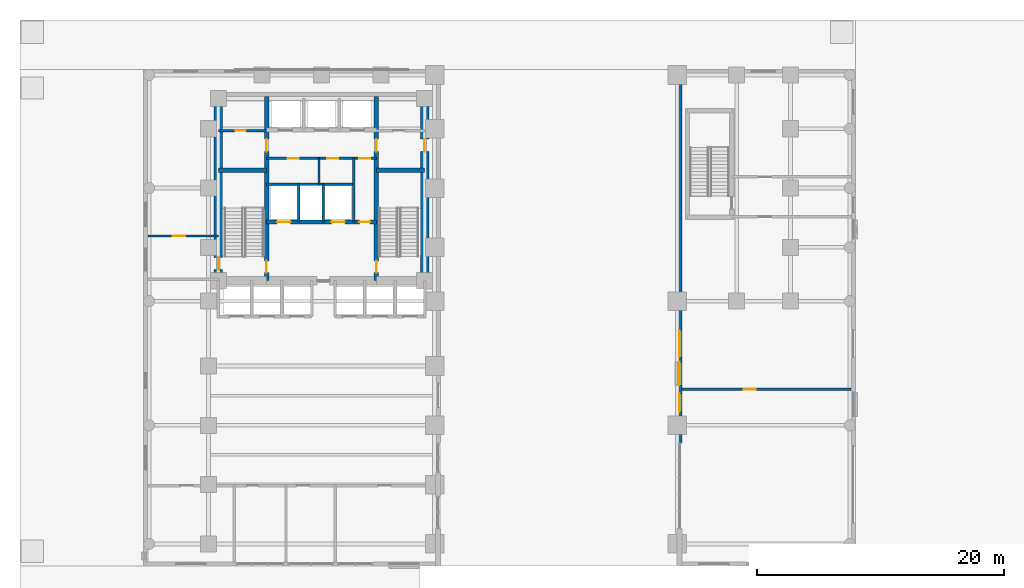
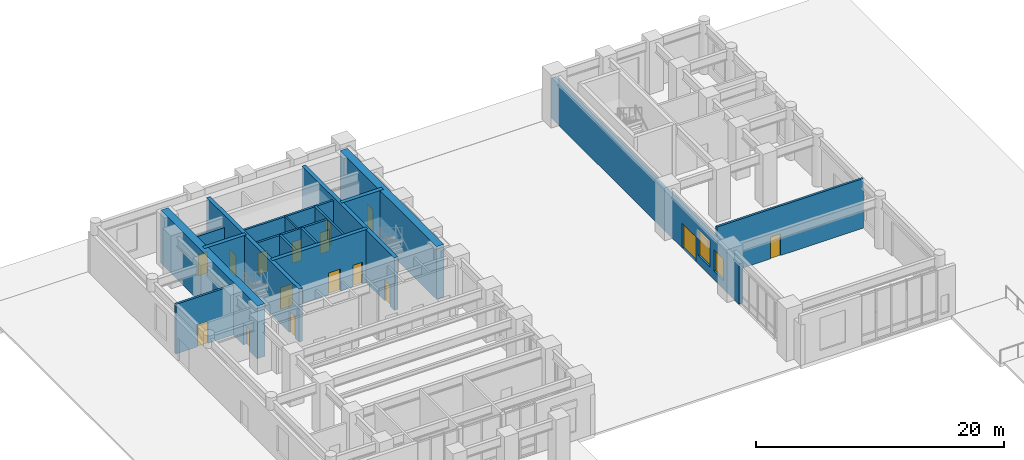
# One storey, part 9 of 16: 17 walls, 16 doors, 2 windows, 18 openings.
"""IFC4 building model written with IfcOpenShell, lengths in metres."""

from ifc_helpers import new_model, si_unit, direction, frame, frame_2d, origin, place, context, subcontext, project, spatial, rectangle, extrude, material, layer, layer_set, type_object, element, fill, save


model = new_model("IFC4")

# Units and contexts
model_context = context("Model", 3, precision=1e-05, world=origin(), true_north=direction((0.0, 1.0)))
body_context = subcontext(model_context, "Body", "Model", "MODEL_VIEW")
ifc_project = project(units=[si_unit("LENGTHUNIT", "METRE"), si_unit("AREAUNIT", "SQUARE_METRE"), si_unit("VOLUMEUNIT", "CUBIC_METRE"), si_unit("PLANEANGLEUNIT", "RADIAN"), si_unit("MASSUNIT", "GRAM", prefix="KILO")], contexts=[model_context])

# Site, building, storey
site_placement = place(None, origin())
site = spatial("IfcSite", under=ifc_project, at=site_placement, CompositionType="ELEMENT")
building_placement = place(site_placement, origin())
building = spatial("IfcBuilding", under=site, at=building_placement, Name="Orvandelia Arch Residences", CompositionType="ELEMENT")
storey_placement = place(building_placement, origin())
storey = spatial("IfcBuildingStorey", under=building, at=storey_placement, Name="L00", CompositionType="ELEMENT", Elevation=0.0)

# Wall, openings, door, windows
ifc_material_1 = material(Name="Precast concrete C40/50", Category="concrete")
ifc_layer_1 = layer(ifc_material_1, 0.39990234375, Name="Precast concrete C40/50", Category="concrete")
ifc_layer_set_1 = layer_set([ifc_layer_1], Name="Precast concrete C40/50")
wall_type_1 = type_object("IfcWallType", Name="WL-ARCH-CHEEK-400", PredefinedType="SOLIDWALL", material=ifc_layer_set_1)
wall_1_placement = place(storey_placement, frame((43.375, 17.760009765625, 0.0), z_axis=(0.0, 0.0, 1.0), x_axis=(0.0, 1.0, 0.0)))
wall_1 = element("IfcWall", 1, at=wall_1_placement, inside=storey, type_object=wall_type_1, Name="Giant Arch Pier Cheek Wall L00-015", PredefinedType="SOLIDWALL", context=body_context, shape_type="SweptSolid", body=[
    extrude(rectangle(XDim=30.239990234375, YDim=0.39990234375, at=frame_2d((15.1201171875, 0.0))), origin(), (0.0, 0.0, 1.0), 3.969970703125),
])
opening_1_placement = place(wall_1_placement, frame((6.93994140625, 0.0, 0.0)))
opening_1 = element("IfcOpeningElement", 2, at=opening_1_placement, cuts=wall_1, Name="Opening ED1", PredefinedType="OPENING", context=body_context, shape_type="SweptSolid", body=[
    extrude(rectangle(XDim=2.199951171875, YDim=2.449951171875, at=frame_2d((1.10009765625, 1.22509765625))), frame((0.0, 0.2099609375, 0.0), z_axis=(0.0, -1.0, 0.0), x_axis=(1.0, 0.0, 0.0)), (0.0, 0.0, 1.0), 0.419921875),
])
opening_2_placement = place(wall_1_placement, frame((4.675048828125, 0.0, 0.85009765625)))
opening_2 = element("IfcOpeningElement", 3, at=opening_2_placement, cuts=wall_1, Name="Opening W7", PredefinedType="OPENING", context=body_context, shape_type="SweptSolid", body=[
    extrude(rectangle(XDim=1.89990234375, YDim=2.60009765625, at=frame_2d((0.949951171875, 1.300048828125))), frame((0.0, 0.2099609375, 0.0), z_axis=(0.0, -1.0, 0.0), x_axis=(1.0, 0.0, 0.0)), (0.0, 0.0, 1.0), 0.419921875),
])
opening_3_placement = place(wall_1_placement, frame((2.514892578125, 0.0, 0.85009765625)))
opening_3 = element("IfcOpeningElement", 4, at=opening_3_placement, cuts=wall_1, Name="Opening W2", PredefinedType="OPENING", context=body_context, shape_type="SweptSolid", body=[
    extrude(rectangle(XDim=1.5, YDim=2.10009765625, at=frame_2d((0.75, 1.050048828125))), frame((0.0, 0.2099609375, 0.0), z_axis=(0.0, -1.0, 0.0), x_axis=(1.0, 0.0, 0.0)), (0.0, 0.0, 1.0), 0.419921875),
])
ifc_material_2 = material(Name="Anodised Bronze Framed Glazed Door")
door_type_1 = type_object("IfcDoorType", Name="DR-ENT-DBL-2200", OperationType="NOTDEFINED", PredefinedType="DOOR", material=ifc_material_2)
door_1_placement = place(opening_1_placement, origin())
door_1 = element("IfcDoor", 5, at=door_1_placement, inside=storey, type_object=door_type_1, Name="Arch East Retail Entrance", OperationType="SINGLE_SWING_RIGHT", OverallHeight=2.449951171875, OverallWidth=2.199951171875, PredefinedType="DOOR", context=body_context, shape_type="SweptSolid", body=[
    extrude(rectangle(XDim=2.199951171875, YDim=2.449951171875, at=frame_2d((1.10009765625, 1.22509765625))), frame((0.0, 0.02490234375, 0.0), z_axis=(0.0, -1.0, 0.0), x_axis=(1.0, 0.0, 0.0)), (0.0, 0.0, 1.0), 0.050048828125),
])
fill(opening_1, door_1)
ifc_material_3 = material(Name="Laminated Acoustic Double Glazing", Category="glass")
window_type_1 = type_object("IfcWindowType", Name="WIN-POD-1900x2600", PartitioningType="SINGLE_PANEL", PredefinedType="WINDOW", material=ifc_material_3)
window_1_placement = place(opening_2_placement, origin())
window_1 = element("IfcWindow", 6, at=window_1_placement, inside=storey, type_object=window_type_1, Name="Recessed Punched Window L00-015", OverallHeight=2.60009765625, OverallWidth=1.89990234375, PartitioningType="SINGLE_PANEL", PredefinedType="WINDOW", context=body_context, shape_type="SweptSolid", body=[
    extrude(rectangle(XDim=1.89990234375, YDim=2.60009765625, at=frame_2d((0.949951171875, 1.300048828125))), frame((0.0, 0.030029296875, 0.0), z_axis=(0.0, -1.0, 0.0), x_axis=(1.0, 0.0, 0.0)), (0.0, 0.0, 1.0), 0.06005859375),
])
fill(opening_2, window_1)
ifc_material_4 = material(Name="Tempered Low-E Insulated Glazing", Category="glass")
window_type_2 = type_object("IfcWindowType", Name="WIN-RES-1500x2100", PartitioningType="SINGLE_PANEL", PredefinedType="WINDOW", material=ifc_material_4)
window_2_placement = place(opening_3_placement, origin())
window_2 = element("IfcWindow", 7, at=window_2_placement, inside=storey, type_object=window_type_2, Name="Recessed Punched Window L00-016", OverallHeight=2.10009765625, OverallWidth=1.5, PartitioningType="SINGLE_PANEL", PredefinedType="WINDOW", context=body_context, shape_type="SweptSolid", body=[
    extrude(rectangle(XDim=1.5, YDim=2.10009765625, at=frame_2d((0.75, 1.050048828125))), frame((0.0, 0.030029296875, 0.0), z_axis=(0.0, -1.0, 0.0), x_axis=(1.0, 0.0, 0.0)), (0.0, 0.0, 1.0), 0.06005859375),
])
fill(opening_3, window_2)

# Wall, openings, doors
ifc_material_5 = material(Name="Concrete C50/60", Category="concrete")
ifc_layer_2 = layer(ifc_material_5, 0.35009765625, Name="Concrete C50/60", Category="concrete")
ifc_layer_set_2 = layer_set([ifc_layer_2], Name="Concrete C50/60")
wall_type_2 = type_object("IfcWallType", Name="WL-CORE-350", PredefinedType="SHEAR", material=ifc_layer_set_2)
wall_2_placement = place(storey_placement, frame((9.9599609375, 30.89990234375, 0.0), z_axis=(0.0, 0.0, 1.0), x_axis=(0.0, 1.0, 0.0)))
wall_2 = element("IfcWall", 8, at=wall_2_placement, inside=storey, type_object=wall_type_2, Name="Core Shear Wall L00-WEB1", PredefinedType="SHEAR", context=body_context, shape_type="SweptSolid", body=[
    extrude(rectangle(XDim=14.900146484375, YDim=0.35009765625, at=frame_2d((7.4501953125, 0.0))), origin(), (0.0, 0.0, 1.0), 5.199951171875),
])
opening_4_placement = place(wall_2_placement, frame((0.64990234375, 0.0, 0.0)))
opening_4 = element("IfcOpeningElement", 9, at=opening_4_placement, cuts=wall_2, Name="Opening D7", PredefinedType="OPENING", context=body_context, shape_type="SweptSolid", body=[
    extrude(rectangle(XDim=0.949951171875, YDim=2.10009765625, at=frame_2d((0.47509765625, 1.050048828125))), frame((0.0, 0.18505859375, 0.0), z_axis=(0.0, -1.0, 0.0), x_axis=(1.0, 0.0, 0.0)), (0.0, 0.0, 1.0), 0.3701171875),
])
opening_5_placement = place(wall_2_placement, frame((10.449951171875, 0.0, 0.0)))
opening_5 = element("IfcOpeningElement", 10, at=opening_5_placement, cuts=wall_2, Name="Opening D6", PredefinedType="OPENING", context=body_context, shape_type="SweptSolid", body=[
    extrude(rectangle(XDim=1.0, YDim=2.14990234375, at=frame_2d((0.5, 1.074951171875))), frame((0.0, 0.18505859375, 0.0), z_axis=(0.0, -1.0, 0.0), x_axis=(1.0, 0.0, 0.0)), (0.0, 0.0, 1.0), 0.3701171875),
])
ifc_material_6 = material(Name="Smokeproof Painted Steel Fire Door", Category="steel")
door_type_2 = type_object("IfcDoorType", Name="DR-FD60-1000", OperationType="NOTDEFINED", PredefinedType="DOOR", material=ifc_material_6)
door_2_placement = place(opening_5_placement, origin())
door_2 = element("IfcDoor", 11, at=door_2_placement, inside=storey, type_object=door_type_2, Name="High-Rise Lift Hall West Vestibule Door L00", OperationType="SINGLE_SWING_LEFT", OverallHeight=2.14990234375, OverallWidth=1.0, PredefinedType="DOOR", context=body_context, shape_type="SweptSolid", body=[
    extrude(rectangle(XDim=1.0, YDim=2.14990234375, at=frame_2d((0.5, 1.074951171875))), frame((0.0, 0.02490234375, 0.0), z_axis=(0.0, -1.0, 0.0), x_axis=(1.0, 0.0, 0.0)), (0.0, 0.0, 1.0), 0.050048828125),
])
fill(opening_5, door_2)
ifc_material_7 = material(Name="Pressurised Stairwell Fire Door")
door_type_3 = type_object("IfcDoorType", Name="DR-STAIR-950", OperationType="NOTDEFINED", PredefinedType="DOOR", material=ifc_material_7)
door_3_placement = place(opening_4_placement, origin())
door_3 = element("IfcDoor", 12, at=door_3_placement, inside=storey, type_object=door_type_3, Name="Stairwell ST-1 Fire Door L00", OperationType="SINGLE_SWING_LEFT", OverallHeight=2.10009765625, OverallWidth=0.949951171875, PredefinedType="DOOR", context=body_context, shape_type="SweptSolid", body=[
    extrude(rectangle(XDim=0.949951171875, YDim=2.10009765625, at=frame_2d((0.47509765625, 1.050048828125))), frame((0.0, 0.02490234375, 0.0), z_axis=(0.0, -1.0, 0.0), x_axis=(1.0, 0.0, 0.0)), (0.0, 0.0, 1.0), 0.050048828125),
])
fill(opening_4, door_3)

wall_3_placement = place(storey_placement, frame((18.840087890625, 30.89990234375, 0.0), z_axis=(0.0, 0.0, 1.0), x_axis=(0.0, 1.0, 0.0)))
wall_3 = element("IfcWall", 13, at=wall_3_placement, inside=storey, type_object=wall_type_2, Name="Core Shear Wall L00-WEB2", PredefinedType="SHEAR", context=body_context, shape_type="SweptSolid", body=[
    extrude(rectangle(XDim=14.900146484375, YDim=0.35009765625, at=frame_2d((7.4501953125, 0.0))), origin(), (0.0, 0.0, 1.0), 5.199951171875),
])
opening_6_placement = place(wall_3_placement, frame((0.64990234375, 0.0, 0.0)))
opening_6 = element("IfcOpeningElement", 14, at=opening_6_placement, cuts=wall_3, Name="Opening D7", PredefinedType="OPENING", context=body_context, shape_type="SweptSolid", body=[
    extrude(rectangle(XDim=0.949951171875, YDim=2.10009765625, at=frame_2d((0.47509765625, 1.050048828125))), frame((0.0, 0.18505859375, 0.0), z_axis=(0.0, -1.0, 0.0), x_axis=(1.0, 0.0, 0.0)), (0.0, 0.0, 1.0), 0.3701171875),
])
opening_7_placement = place(wall_3_placement, frame((10.449951171875, 0.0, 0.0)))
opening_7 = element("IfcOpeningElement", 15, at=opening_7_placement, cuts=wall_3, Name="Opening D6", PredefinedType="OPENING", context=body_context, shape_type="SweptSolid", body=[
    extrude(rectangle(XDim=1.0, YDim=2.14990234375, at=frame_2d((0.5, 1.074951171875))), frame((0.0, 0.18505859375, 0.0), z_axis=(0.0, -1.0, 0.0), x_axis=(1.0, 0.0, 0.0)), (0.0, 0.0, 1.0), 0.3701171875),
])
door_4_placement = place(opening_7_placement, origin())
door_4 = element("IfcDoor", 16, at=door_4_placement, inside=storey, type_object=door_type_2, Name="High-Rise Lift Hall East Vestibule Door L00", OperationType="SINGLE_SWING_RIGHT", OverallHeight=2.14990234375, OverallWidth=1.0, PredefinedType="DOOR", context=body_context, shape_type="SweptSolid", body=[
    extrude(rectangle(XDim=1.0, YDim=2.14990234375, at=frame_2d((0.5, 1.074951171875))), frame((0.0, 0.02490234375, 0.0), z_axis=(0.0, -1.0, 0.0), x_axis=(1.0, 0.0, 0.0)), (0.0, 0.0, 1.0), 0.050048828125),
])
fill(opening_7, door_4)
door_5_placement = place(opening_6_placement, origin())
door_5 = element("IfcDoor", 17, at=door_5_placement, inside=storey, type_object=door_type_3, Name="Stairwell ST-2 Fire Door L00", OperationType="SINGLE_SWING_RIGHT", OverallHeight=2.10009765625, OverallWidth=0.949951171875, PredefinedType="DOOR", context=body_context, shape_type="SweptSolid", body=[
    extrude(rectangle(XDim=0.949951171875, YDim=2.10009765625, at=frame_2d((0.47509765625, 1.050048828125))), frame((0.0, 0.02490234375, 0.0), z_axis=(0.0, -1.0, 0.0), x_axis=(1.0, 0.0, 0.0)), (0.0, 0.0, 1.0), 0.050048828125),
])
fill(opening_6, door_5)

# Walls
for number, where, z_axis, x_axis, name in (
    (18, (6.050048828125, 39.85009765625, 0.0), (0.0, 0.0, 1.0), (1.0, 0.0, 0.0), "Core Shear Wall L00-HZ1"),
    (19, (18.840087890625, 39.85009765625, 0.0), (0.0, 0.0, 1.0), (1.0, 0.0, 0.0), "Core Shear Wall L00-HZ2"),
):
    element("IfcWall", number, at=place(storey_placement, frame(where, z_axis=z_axis, x_axis=x_axis)), inside=storey, type_object=wall_type_2, Name=name, PredefinedType="SHEAR", context=body_context, shape_type="SweptSolid", body=[
        extrude(rectangle(XDim=3.909912109375, YDim=0.35009765625, at=frame_2d((1.955078125, 0.0))), origin(), (0.0, 0.0, 1.0), 5.199951171875),
    ])

# Wall, openings, doors
wall_4_placement = place(storey_placement, frame((9.9599609375, 35.64990234375, 0.0), z_axis=(0.0, 0.0, 1.0), x_axis=(1.0, 0.0, 0.0)))
wall_4 = element("IfcWall", 20, at=wall_4_placement, inside=storey, type_object=wall_type_2, Name="Core Shear Wall L00-HZ3", PredefinedType="SHEAR", context=body_context, shape_type="SweptSolid", body=[
    extrude(rectangle(XDim=8.880126953125, YDim=0.35009765625, at=frame_2d((4.43994140625, 0.0))), origin(), (0.0, 0.0, 1.0), 5.199951171875),
])
opening_8_placement = place(wall_4_placement, frame((0.840087890625, 0.0, 0.0)))
opening_8 = element("IfcOpeningElement", 21, at=opening_8_placement, cuts=wall_4, Name="Opening FLD", PredefinedType="OPENING", context=body_context, shape_type="SweptSolid", body=[
    extrude(rectangle(XDim=1.10009765625, YDim=2.14990234375, at=frame_2d((0.550048828125, 1.074951171875))), frame((0.0, 0.18505859375, 0.0), z_axis=(0.0, -1.0, 0.0), x_axis=(1.0, 0.0, 0.0)), (0.0, 0.0, 1.0), 0.3701171875),
])
opening_9_placement = place(wall_4_placement, frame((5.239990234375, 0.0, 0.0)))
opening_9 = element("IfcOpeningElement", 22, at=opening_9_placement, cuts=wall_4, Name="Opening FLD", PredefinedType="OPENING", context=body_context, shape_type="SweptSolid", body=[
    extrude(rectangle(XDim=1.10009765625, YDim=2.14990234375, at=frame_2d((0.550048828125, 1.074951171875))), frame((0.0, 0.18505859375, 0.0), z_axis=(0.0, -1.0, 0.0), x_axis=(1.0, 0.0, 0.0)), (0.0, 0.0, 1.0), 0.3701171875),
])
opening_10_placement = place(wall_4_placement, frame((7.5, 0.0, 0.0)))
opening_10 = element("IfcOpeningElement", 23, at=opening_10_placement, cuts=wall_4, Name="Opening D5", PredefinedType="OPENING", context=body_context, shape_type="SweptSolid", body=[
    extrude(rectangle(XDim=0.8798828125, YDim=2.10009765625, at=frame_2d((0.43994140625, 1.050048828125))), frame((0.0, 0.18505859375, 0.0), z_axis=(0.0, -1.0, 0.0), x_axis=(1.0, 0.0, 0.0)), (0.0, 0.0, 1.0), 0.3701171875),
])
ifc_material_8 = material(Name="Firefighting Lift Stainless Sliding Door")
door_type_4 = type_object("IfcDoorType", Name="DR-FLFT-1100", OperationType="NOTDEFINED", PredefinedType="DOOR", material=ifc_material_8)
door_6_placement = place(opening_8_placement, origin())
door_6 = element("IfcDoor", 24, at=door_6_placement, inside=storey, type_object=door_type_4, Name="Firefighting Lift Landing Door FLD-FL1-L00", OperationType="SLIDING_TO_LEFT", OverallHeight=2.14990234375, OverallWidth=1.10009765625, PredefinedType="DOOR", context=body_context, shape_type="SweptSolid", body=[
    extrude(rectangle(XDim=1.10009765625, YDim=2.14990234375, at=frame_2d((0.550048828125, 1.074951171875))), frame((0.0, 0.02490234375, 0.0), z_axis=(0.0, -1.0, 0.0), x_axis=(1.0, 0.0, 0.0)), (0.0, 0.0, 1.0), 0.050048828125),
])
fill(opening_8, door_6)
door_7_placement = place(opening_9_placement, origin())
door_7 = element("IfcDoor", 25, at=door_7_placement, inside=storey, type_object=door_type_4, Name="Firefighting Lift Landing Door FLD-FL2-L00", OperationType="SLIDING_TO_RIGHT", OverallHeight=2.14990234375, OverallWidth=1.10009765625, PredefinedType="DOOR", context=body_context, shape_type="SweptSolid", body=[
    extrude(rectangle(XDim=1.10009765625, YDim=2.14990234375, at=frame_2d((0.550048828125, 1.074951171875))), frame((0.0, 0.02490234375, 0.0), z_axis=(0.0, -1.0, 0.0), x_axis=(1.0, 0.0, 0.0)), (0.0, 0.0, 1.0), 0.050048828125),
])
fill(opening_9, door_7)
ifc_material_9 = material(Name="Painted Galvanised Steel Service Door", Category="steel")
door_type_5 = type_object("IfcDoorType", Name="DR-SRV-880", OperationType="NOTDEFINED", PredefinedType="DOOR", material=ifc_material_9)
door_8_placement = place(opening_10_placement, origin())
door_8 = element("IfcDoor", 26, at=door_8_placement, inside=storey, type_object=door_type_5, Name="Core Stairway Passage South Fire Door L00", OperationType="SINGLE_SWING_LEFT", OverallHeight=2.10009765625, OverallWidth=0.8798828125, PredefinedType="DOOR", context=body_context, shape_type="SweptSolid", body=[
    extrude(rectangle(XDim=0.8798828125, YDim=2.10009765625, at=frame_2d((0.43994140625, 1.050048828125))), frame((0.0, 0.02490234375, 0.0), z_axis=(0.0, -1.0, 0.0), x_axis=(1.0, 0.0, 0.0)), (0.0, 0.0, 1.0), 0.050048828125),
])
fill(opening_10, door_8)

# Wall, opening, door
ifc_material_10 = material(Name="Concrete C80/95", Category="concrete")
ifc_layer_3 = layer(ifc_material_10, 0.699951171875, Name="Concrete C80/95", Category="concrete")
ifc_layer_set_3 = layer_set([ifc_layer_3], Name="Concrete C80/95")
wall_type_3 = type_object("IfcWallType", Name="WL-CORE-700", PredefinedType="SHEAR", material=ifc_layer_set_3)
wall_5_placement = place(storey_placement, frame((6.050048828125, 30.550048828125, 0.0), z_axis=(0.0, 0.0, 1.0), x_axis=(0.0, 1.0, 0.0)))
wall_5 = element("IfcWall", 27, at=wall_5_placement, inside=storey, type_object=wall_type_3, Name="Core Shear Wall L00-W", PredefinedType="SHEAR", context=body_context, shape_type="SweptSolid", body=[
    extrude(rectangle(XDim=15.599853515625, YDim=0.699951171875, at=frame_2d((7.7998046875, 0.0))), origin(), (0.0, 0.0, 1.0), 5.199951171875),
])
opening_11_placement = place(wall_5_placement, frame((1.25, 0.0, 0.0)))
opening_11 = element("IfcOpeningElement", 28, at=opening_11_placement, cuts=wall_5, Name="Opening D6", PredefinedType="OPENING", context=body_context, shape_type="SweptSolid", body=[
    extrude(rectangle(XDim=1.0, YDim=2.14990234375, at=frame_2d((0.5, 1.074951171875))), frame((0.0, 0.35986328125, 0.0), z_axis=(0.0, -1.0, 0.0), x_axis=(1.0, 0.0, 0.0)), (0.0, 0.0, 1.0), 0.719970703125),
])
door_9_placement = place(opening_11_placement, origin())
door_9 = element("IfcDoor", 29, at=door_9_placement, inside=storey, type_object=door_type_2, Name="Stair ST-1 Ground Discharge Fire Door", OperationType="SINGLE_SWING_RIGHT", OverallHeight=2.14990234375, OverallWidth=1.0, PredefinedType="DOOR", context=body_context, shape_type="SweptSolid", body=[
    extrude(rectangle(XDim=1.0, YDim=2.14990234375, at=frame_2d((0.5, 1.074951171875))), frame((0.0, 0.02490234375, 0.0), z_axis=(0.0, -1.0, 0.0), x_axis=(1.0, 0.0, 0.0)), (0.0, 0.0, 1.0), 0.050048828125),
])
fill(opening_11, door_9)

wall_6_placement = place(storey_placement, frame((22.75, 30.550048828125, 0.0), z_axis=(0.0, 0.0, 1.0), x_axis=(0.0, 1.0, 0.0)))
wall_6 = element("IfcWall", 30, at=wall_6_placement, inside=storey, type_object=wall_type_3, Name="Core Shear Wall L00-E", PredefinedType="SHEAR", context=body_context, shape_type="SweptSolid", body=[
    extrude(rectangle(XDim=15.599853515625, YDim=0.699951171875, at=frame_2d((7.7998046875, 0.0))), origin(), (0.0, 0.0, 1.0), 5.199951171875),
])
opening_12_placement = place(wall_6_placement, frame((10.800048828125, 0.0, 0.0)))
opening_12 = element("IfcOpeningElement", 31, at=opening_12_placement, cuts=wall_6, Name="Opening D6", PredefinedType="OPENING", context=body_context, shape_type="SweptSolid", body=[
    extrude(rectangle(XDim=1.0, YDim=2.14990234375, at=frame_2d((0.5, 1.074951171875))), frame((0.0, 0.35986328125, 0.0), z_axis=(0.0, -1.0, 0.0), x_axis=(1.0, 0.0, 0.0)), (0.0, 0.0, 1.0), 0.719970703125),
])
door_10_placement = place(opening_12_placement, origin())
door_10 = element("IfcDoor", 32, at=door_10_placement, inside=storey, type_object=door_type_2, Name="Core East Corridor Link Door L00", OperationType="SINGLE_SWING_LEFT", OverallHeight=2.14990234375, OverallWidth=1.0, PredefinedType="DOOR", context=body_context, shape_type="SweptSolid", body=[
    extrude(rectangle(XDim=1.0, YDim=2.14990234375, at=frame_2d((0.5, 1.074951171875))), frame((0.0, 0.02490234375, 0.0), z_axis=(0.0, -1.0, 0.0), x_axis=(1.0, 0.0, 0.0)), (0.0, 0.0, 1.0), 0.050048828125),
])
fill(opening_12, door_10)

ifc_material_11 = material(Name="Fire-Rated Corridor Partition")
ifc_layer_4 = layer(ifc_material_11, 0.199951171875, Name="Fire-Rated Corridor Partition")
ifc_layer_set_4 = layer_set([ifc_layer_4], Name="Fire-Rated Corridor Partition")
wall_type_4 = type_object("IfcWallType", Name="WL-CORR-200", PredefinedType="PARTITIONING", material=ifc_layer_set_4)
wall_7_placement = place(storey_placement, frame((0.360107421875, 34.52001953125, 0.0), z_axis=(0.0, 0.0, 1.0), x_axis=(1.0, 0.0, 0.0)))
wall_7 = element("IfcWall", 33, at=wall_7_placement, inside=storey, type_object=wall_type_4, Name="Interior Partition Wall WL-L00-EXP-N", PredefinedType="PARTITIONING", context=body_context, shape_type="SweptSolid", body=[
    extrude(rectangle(XDim=5.68994140625, YDim=0.199951171875, at=frame_2d((2.844970703125, 0.0))), origin(), (0.0, 0.0, 1.0), 4.889892578125),
])
opening_13_placement = place(wall_7_placement, frame((2.02001953125, 0.0, 0.0)))
opening_13 = element("IfcOpeningElement", 34, at=opening_13_placement, cuts=wall_7, Name="Opening D1", PredefinedType="OPENING", context=body_context, shape_type="SweptSolid", body=[
    extrude(rectangle(XDim=0.97998046875, YDim=2.179931640625, at=frame_2d((0.489990234375, 1.08984375))), frame((0.0, 0.10986328125, 0.0), z_axis=(0.0, -1.0, 0.0), x_axis=(1.0, 0.0, 0.0)), (0.0, 0.0, 1.0), 0.219970703125),
])
ifc_material_12 = material(Name="Solid-Core Timber Acoustic Fire Door", Category="wood")
door_type_6 = type_object("IfcDoorType", Name="DR-ENT-980", OperationType="NOTDEFINED", PredefinedType="DOOR", material=ifc_material_12)
door_11_placement = place(opening_13_placement, origin())
door_11 = element("IfcDoor", 35, at=door_11_placement, inside=storey, type_object=door_type_6, Name="DR-L00-RETW1", OperationType="SINGLE_SWING_RIGHT", OverallHeight=2.179931640625, OverallWidth=0.97998046875, PredefinedType="DOOR", context=body_context, shape_type="SweptSolid", body=[
    extrude(rectangle(XDim=0.97998046875, YDim=2.179931640625, at=frame_2d((0.489990234375, 1.08984375))), frame((0.0, 0.02490234375, 0.0), z_axis=(0.0, -1.0, 0.0), x_axis=(1.0, 0.0, 0.0)), (0.0, 0.0, 1.0), 0.050048828125),
])
fill(opening_13, door_11)

ifc_material_13 = material(Name="Concrete C40/50", Category="concrete")
ifc_layer_5 = layer(ifc_material_13, 0.199951171875, Name="Concrete C40/50", Category="concrete")
ifc_layer_set_5 = layer_set([ifc_layer_5], Name="Concrete C40/50")
wall_type_5 = type_object("IfcWallType", Name="WL-DEM-200", PredefinedType="SOLIDWALL", material=ifc_layer_set_5)
wall_8_placement = place(storey_placement, frame((43.580078125, 22.1201171875, 0.0), z_axis=(0.0, 0.0, 1.0), x_axis=(1.0, 0.0, 0.0)))
wall_8 = element("IfcWall", 36, at=wall_8_placement, inside=storey, type_object=wall_type_5, Name="Interior Partition Wall WL-L00-EP1", PredefinedType="SOLIDWALL", context=body_context, shape_type="SweptSolid", body=[
    extrude(rectangle(XDim=13.659912109375, YDim=0.199951171875, at=frame_2d((6.830078125, 0.0))), origin(), (0.0, 0.0, 1.0), 4.889892578125),
])
opening_14_placement = place(wall_8_placement, frame((5.0, 0.0, 0.0)))
opening_14 = element("IfcOpeningElement", 37, at=opening_14_placement, cuts=wall_8, Name="Opening D2", PredefinedType="OPENING", context=body_context, shape_type="SweptSolid", body=[
    extrude(rectangle(XDim=0.949951171875, YDim=2.14990234375, at=frame_2d((0.47509765625, 1.074951171875))), frame((0.0, 0.10986328125, 0.0), z_axis=(0.0, -1.0, 0.0), x_axis=(1.0, 0.0, 0.0)), (0.0, 0.0, 1.0), 0.219970703125),
])
ifc_material_14 = material(Name="Solid-Core Timber Interior Fire Door", Category="wood")
door_type_7 = type_object("IfcDoorType", Name="DR-APT-950", OperationType="NOTDEFINED", PredefinedType="DOOR", material=ifc_material_14)
door_12_placement = place(opening_14_placement, origin())
door_12 = element("IfcDoor", 38, at=door_12_placement, inside=storey, type_object=door_type_7, Name="DR-L00-EP1", OperationType="SINGLE_SWING_LEFT", OverallHeight=2.14990234375, OverallWidth=0.949951171875, PredefinedType="DOOR", context=body_context, shape_type="SweptSolid", body=[
    extrude(rectangle(XDim=0.949951171875, YDim=2.14990234375, at=frame_2d((0.47509765625, 1.074951171875))), frame((0.0, 0.02490234375, 0.0), z_axis=(0.0, -1.0, 0.0), x_axis=(1.0, 0.0, 0.0)), (0.0, 0.0, 1.0), 0.050048828125),
])
fill(opening_14, door_12)

# Walls
ifc_material_15 = material(Name="Acoustic Gypsum Stud Partition")
ifc_layer_6 = layer(ifc_material_15, 0.14990234375, Name="Acoustic Gypsum Stud Partition")
ifc_layer_set_6 = layer_set([ifc_layer_6], Name="Acoustic Gypsum Stud Partition")
wall_type_6 = type_object("IfcWallType", Name="WL-PART-150", PredefinedType="PARTITIONING", material=ifc_layer_set_6)
wall_9_placement = place(storey_placement, frame((14.199951171875, 38.719970703125, 0.0), z_axis=(0.0, 0.0, 1.0), x_axis=(0.0, 1.0, 0.0)))
element("IfcWall", 39, at=wall_9_placement, inside=storey, type_object=wall_type_6, Name="Interior Partition Wall WL-L00-CSA-1", PredefinedType="PARTITIONING", context=body_context, shape_type="SweptSolid", body=[
    extrude(rectangle(XDim=2.080078125, YDim=0.14990234375, at=frame_2d((1.0400390625, 0.0))), origin(), (0.0, 0.0, 1.0), 4.889892578125),
])
ifc_material_16 = material(Name="Fire-Rated Shaft Enclosure Wall")
ifc_layer_7 = layer(ifc_material_16, 0.199951171875, Name="Fire-Rated Shaft Enclosure Wall")
ifc_layer_set_7 = layer_set([ifc_layer_7], Name="Fire-Rated Shaft Enclosure Wall")
wall_type_7 = type_object("IfcWallType", Name="WL-SHAFT-200", PredefinedType="POLYGONAL", material=ifc_layer_set_7)
wall_10_placement = place(storey_placement, frame((9.9599609375, 38.719970703125, 0.0), z_axis=(0.0, 0.0, 1.0), x_axis=(1.0, 0.0, 0.0)))
element("IfcWall", 40, at=wall_10_placement, inside=storey, type_object=wall_type_7, Name="Interior Partition Wall WL-L00-FLN", PredefinedType="POLYGONAL", context=body_context, shape_type="SweptSolid", body=[
    extrude(rectangle(XDim=7.06005859375, YDim=0.199951171875, at=frame_2d((3.530029296875, 0.0))), origin(), (0.0, 0.0, 1.0), 4.889892578125),
])
for number, where, z_axis, x_axis, name in (
    (41, (12.550048828125, 35.64990234375, 0.0), (0.0, 0.0, 1.0), (0.0, 1.0, 0.0), "Interior Partition Wall WL-L00-FLM1"),
    (42, (14.550048828125, 35.64990234375, 0.0), (0.0, 0.0, 1.0), (0.0, 1.0, 0.0), "Interior Partition Wall WL-L00-FLM2"),
):
    element("IfcWall", number, at=place(storey_placement, frame(where, z_axis=z_axis, x_axis=x_axis)), inside=storey, type_object=wall_type_7, Name=name, PredefinedType="POLYGONAL", context=body_context, shape_type="SweptSolid", body=[
        extrude(rectangle(XDim=3.070068359375, YDim=0.199951171875, at=frame_2d((1.53515625, 0.0))), origin(), (0.0, 0.0, 1.0), 4.889892578125),
    ])
wall_11_placement = place(storey_placement, frame((17.02001953125, 35.64990234375, 0.0), z_axis=(0.0, 0.0, 1.0), x_axis=(0.0, 1.0, 0.0)))
element("IfcWall", 43, at=wall_11_placement, inside=storey, type_object=wall_type_7, Name="Interior Partition Wall WL-L00-FLM3", PredefinedType="POLYGONAL", context=body_context, shape_type="SweptSolid", body=[
    extrude(rectangle(XDim=5.150146484375, YDim=0.199951171875, at=frame_2d((2.5751953125, 0.0))), origin(), (0.0, 0.0, 1.0), 4.889892578125),
])

# Wall, openings, doors
wall_12_placement = place(storey_placement, frame((9.9599609375, 40.800048828125, 0.0), z_axis=(0.0, 0.0, 1.0), x_axis=(1.0, 0.0, 0.0)))
wall_12 = element("IfcWall", 44, at=wall_12_placement, inside=storey, type_object=wall_type_7, Name="Interior Partition Wall WL-L00-HLH-S", PredefinedType="POLYGONAL", context=body_context, shape_type="SweptSolid", body=[
    extrude(rectangle(XDim=8.880126953125, YDim=0.199951171875, at=frame_2d((4.43994140625, 0.0))), origin(), (0.0, 0.0, 1.0), 4.889892578125),
])
opening_15_placement = place(wall_12_placement, frame((7.5, 0.0, 0.0)))
opening_15 = element("IfcOpeningElement", 45, at=opening_15_placement, cuts=wall_12, Name="Opening D5", PredefinedType="OPENING", context=body_context, shape_type="SweptSolid", body=[
    extrude(rectangle(XDim=0.8798828125, YDim=2.10009765625, at=frame_2d((0.43994140625, 1.050048828125))), frame((0.0, 0.10986328125, 0.0), z_axis=(0.0, -1.0, 0.0), x_axis=(1.0, 0.0, 0.0)), (0.0, 0.0, 1.0), 0.219970703125),
])
opening_16_placement = place(wall_12_placement, frame((1.699951171875, 0.0, 0.0)))
opening_16 = element("IfcOpeningElement", 46, at=opening_16_placement, cuts=wall_12, Name="Opening D5", PredefinedType="OPENING", context=body_context, shape_type="SweptSolid", body=[
    extrude(rectangle(XDim=0.8798828125, YDim=2.10009765625, at=frame_2d((0.43994140625, 1.050048828125))), frame((0.0, 0.10986328125, 0.0), z_axis=(0.0, -1.0, 0.0), x_axis=(1.0, 0.0, 0.0)), (0.0, 0.0, 1.0), 0.219970703125),
])
opening_17_placement = place(wall_12_placement, frame((4.89990234375, 0.0, 0.0)))
opening_17 = element("IfcOpeningElement", 47, at=opening_17_placement, cuts=wall_12, Name="Opening D5", PredefinedType="OPENING", context=body_context, shape_type="SweptSolid", body=[
    extrude(rectangle(XDim=0.8798828125, YDim=2.10009765625, at=frame_2d((0.43994140625, 1.050048828125))), frame((0.0, 0.10986328125, 0.0), z_axis=(0.0, -1.0, 0.0), x_axis=(1.0, 0.0, 0.0)), (0.0, 0.0, 1.0), 0.219970703125),
])
door_13_placement = place(opening_15_placement, origin())
door_13 = element("IfcDoor", 48, at=door_13_placement, inside=storey, type_object=door_type_5, Name="Core Stairway Passage North Fire Door L00", OperationType="SINGLE_SWING_RIGHT", OverallHeight=2.10009765625, OverallWidth=0.8798828125, PredefinedType="DOOR", context=body_context, shape_type="SweptSolid", body=[
    extrude(rectangle(XDim=0.8798828125, YDim=2.10009765625, at=frame_2d((0.43994140625, 1.050048828125))), frame((0.0, 0.02490234375, 0.0), z_axis=(0.0, -1.0, 0.0), x_axis=(1.0, 0.0, 0.0)), (0.0, 0.0, 1.0), 0.050048828125),
])
fill(opening_15, door_13)
door_14_placement = place(opening_16_placement, origin())
door_14 = element("IfcDoor", 49, at=door_14_placement, inside=storey, type_object=door_type_5, Name="DR-L00-CSA1", OperationType="SINGLE_SWING_LEFT", OverallHeight=2.10009765625, OverallWidth=0.8798828125, PredefinedType="DOOR", context=body_context, shape_type="SweptSolid", body=[
    extrude(rectangle(XDim=0.8798828125, YDim=2.10009765625, at=frame_2d((0.43994140625, 1.050048828125))), frame((0.0, 0.02490234375, 0.0), z_axis=(0.0, -1.0, 0.0), x_axis=(1.0, 0.0, 0.0)), (0.0, 0.0, 1.0), 0.050048828125),
])
fill(opening_16, door_14)
door_15_placement = place(opening_17_placement, origin())
door_15 = element("IfcDoor", 50, at=door_15_placement, inside=storey, type_object=door_type_5, Name="DR-L00-CSA2", OperationType="SINGLE_SWING_RIGHT", OverallHeight=2.10009765625, OverallWidth=0.8798828125, PredefinedType="DOOR", context=body_context, shape_type="SweptSolid", body=[
    extrude(rectangle(XDim=0.8798828125, YDim=2.10009765625, at=frame_2d((0.43994140625, 1.050048828125))), frame((0.0, 0.02490234375, 0.0), z_axis=(0.0, -1.0, 0.0), x_axis=(1.0, 0.0, 0.0)), (0.0, 0.0, 1.0), 0.050048828125),
])
fill(opening_17, door_15)

# Wall, opening, door
wall_13_placement = place(storey_placement, frame((6.050048828125, 43.050048828125, 0.0), z_axis=(0.0, 0.0, 1.0), x_axis=(1.0, 0.0, 0.0)))
wall_13 = element("IfcWall", 51, at=wall_13_placement, inside=storey, type_object=wall_type_7, Name="Interior Partition Wall WL-L00-HLW-N", PredefinedType="POLYGONAL", context=body_context, shape_type="SweptSolid", body=[
    extrude(rectangle(XDim=3.909912109375, YDim=0.199951171875, at=frame_2d((1.955078125, 0.0))), origin(), (0.0, 0.0, 1.0), 3.969970703125),
])
opening_18_placement = place(wall_13_placement, frame((1.35009765625, 0.0, 0.0)))
opening_18 = element("IfcOpeningElement", 52, at=opening_18_placement, cuts=wall_13, Name="Opening D5", PredefinedType="OPENING", context=body_context, shape_type="SweptSolid", body=[
    extrude(rectangle(XDim=0.8798828125, YDim=2.10009765625, at=frame_2d((0.43994140625, 1.050048828125))), frame((0.0, 0.10986328125, 0.0), z_axis=(0.0, -1.0, 0.0), x_axis=(1.0, 0.0, 0.0)), (0.0, 0.0, 1.0), 0.219970703125),
])
door_16_placement = place(opening_18_placement, origin())
door_16 = element("IfcDoor", 53, at=door_16_placement, inside=storey, type_object=door_type_5, Name="Riser Service Door L00", OperationType="SINGLE_SWING_RIGHT", OverallHeight=2.10009765625, OverallWidth=0.8798828125, PredefinedType="DOOR", context=body_context, shape_type="SweptSolid", body=[
    extrude(rectangle(XDim=0.8798828125, YDim=2.10009765625, at=frame_2d((0.43994140625, 1.050048828125))), frame((0.0, 0.02490234375, 0.0), z_axis=(0.0, -1.0, 0.0), x_axis=(1.0, 0.0, 0.0)), (0.0, 0.0, 1.0), 0.050048828125),
])
fill(opening_18, door_16)

save(model, "model.ifc")
